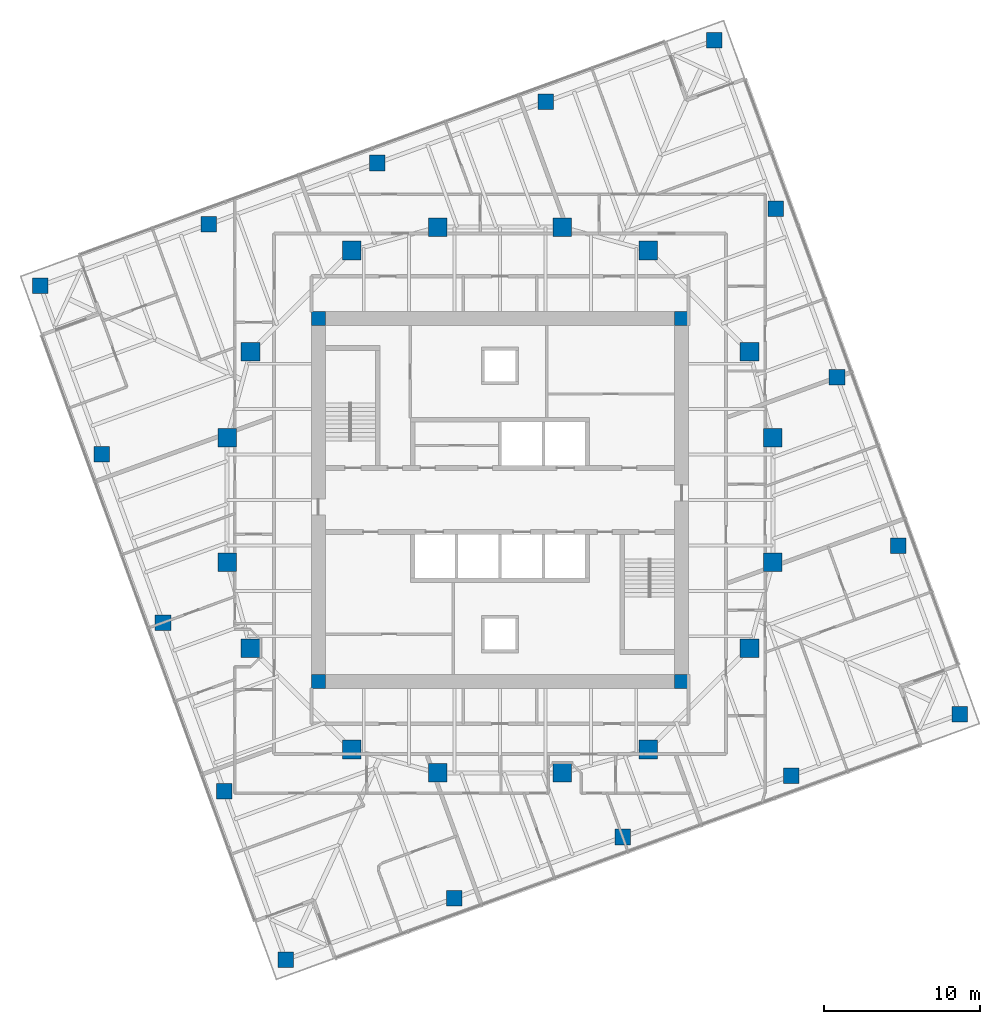
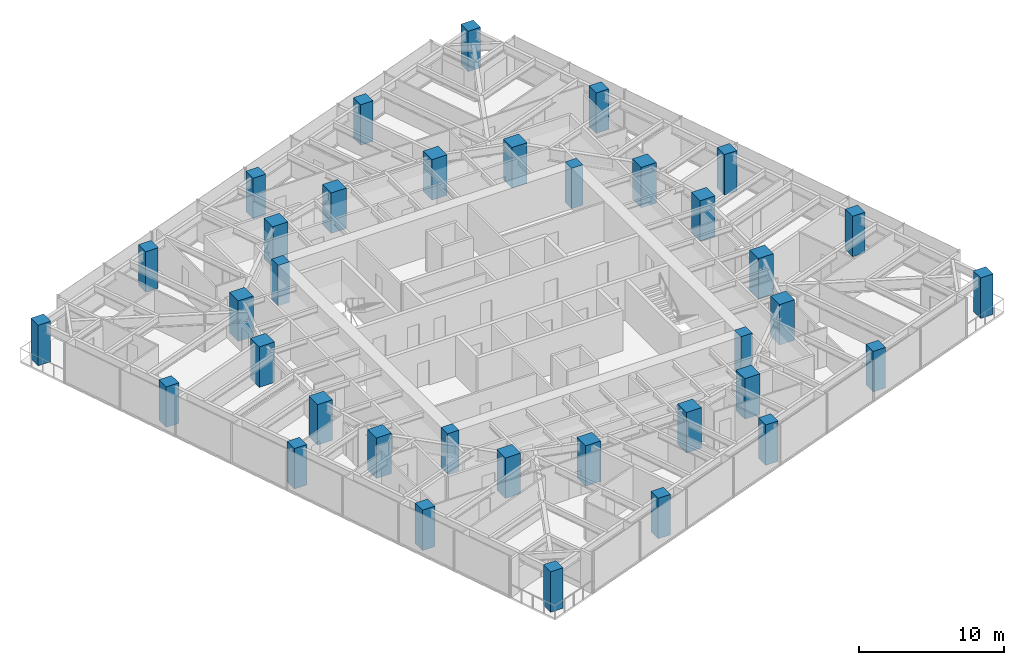
# One storey, part 1 of 13: 36 columns.
"""IFC4 building model written with IfcOpenShell, lengths in metres."""

from ifc_helpers import new_model, si_unit, direction, frame, origin, origin_2d, place, context, subcontext, project, spatial, rectangle, extrude, material, material_profile, profile_set, type_object, element, save


model = new_model("IFC4")

# Units and contexts
model_context = context("Model", 3, precision=1e-05, world=origin(), true_north=direction((0.0, 1.0)))
body_context = subcontext(model_context, "Body", "Model", "MODEL_VIEW")
ifc_project = project(units=[si_unit("LENGTHUNIT", "METRE"), si_unit("AREAUNIT", "SQUARE_METRE"), si_unit("VOLUMEUNIT", "CUBIC_METRE"), si_unit("PLANEANGLEUNIT", "RADIAN"), si_unit("MASSUNIT", "GRAM", prefix="KILO")], contexts=[model_context])

# Site, building, storey
site_placement = place(None, origin())
site = spatial("IfcSite", under=ifc_project, at=site_placement, CompositionType="ELEMENT")
building_placement = place(site_placement, origin())
building = spatial("IfcBuilding", under=site, at=building_placement, Name="Torsade Residences", CompositionType="ELEMENT")
storey_placement = place(building_placement, frame((0.0, 0.0, 157.39990234375)))
storey = spatial("IfcBuildingStorey", under=building, at=storey_placement, Name="L43", CompositionType="ELEMENT", Elevation=157.39990234375)

# Columns
ifc_material_1 = material(Name="Concrete 80 MPa", Category="concrete")
ifc_material_profile_1 = material_profile(ifc_material_1, rectangle(XDim=0.89990234375, YDim=0.89990234375, at=origin_2d()), Name="RC 900x900")
ifc_profile_set_1 = profile_set([ifc_material_profile_1], Name="Concrete 80 MPa")
column_type_1 = type_object("IfcColumnType", Name="CORE CORNER COLUMN RC 900x900", PredefinedType="COLUMN", material=ifc_profile_set_1)
for number, where, z_axis, x_axis, name in (
    (1, (28.35009765625, 18.35009765625, 0.0), (0.0, 0.0, 1.0), (1.0, 0.0, 0.0), "Core corner column CC1 L43"),
    (2, (51.64990234375, 18.35009765625, 0.0), (0.0, 0.0, 1.0), (1.0, 0.0, 0.0), "Core corner column CC2 L43"),
    (3, (51.64990234375, 41.64990234375, 0.0), (0.0, 0.0, 1.0), (1.0, 0.0, 0.0), "Core corner column CC3 L43"),
    (4, (28.35009765625, 41.64990234375, 0.0), (0.0, 0.0, 1.0), (1.0, 0.0, 0.0), "Core corner column CC4 L43"),
):
    element("IfcColumn", number, at=place(storey_placement, frame(where, z_axis=z_axis, x_axis=x_axis)), inside=storey, type_object=column_type_1, Name=name, PredefinedType="COLUMN", context=body_context, shape_type="SweptSolid", body=[
        extrude(rectangle(XDim=0.89990234375, YDim=0.89990234375, at=origin_2d()), origin(), (0.0, 0.0, 1.0), 3.400146484375),
    ])
ifc_material_2 = material(Name="Concrete 80 MPa", Category="concrete")
ifc_material_profile_2 = material_profile(ifc_material_2, rectangle(XDim=1.199951171875, YDim=1.199951171875, at=origin_2d()), Name="RC 1200x1200")
ifc_profile_set_2 = profile_set([ifc_material_profile_2], Name="Concrete 80 MPa")
column_type_2 = type_object("IfcColumnType", Name="INNER RING COLUMN RC 1200x1200", PredefinedType="COLUMN", material=ifc_profile_set_2)
for number, where, z_axis, x_axis, name in (
    (5, (57.5, 26.0, 0.0), (0.0, 0.0, 1.0), (1.0, 0.0, 0.0), "Inner ring column IR01 L43"),
    (6, (57.5, 34.0, 0.0), (0.0, 0.0, 1.0), (1.0, 0.0, 0.0), "Inner ring column IR02 L43"),
    (7, (56.0, 39.5, 0.0), (0.0, 0.0, 1.0), (1.0, 0.0, 0.0), "Inner ring column IR03 L43"),
    (8, (49.5, 46.0, 0.0), (0.0, 0.0, 1.0), (1.0, 0.0, 0.0), "Inner ring column IR04 L43"),
    (9, (44.0, 47.5, 0.0), (0.0, 0.0, 1.0), (1.0, 0.0, 0.0), "Inner ring column IR05 L43"),
    (10, (36.0, 47.5, 0.0), (0.0, 0.0, 1.0), (1.0, 0.0, 0.0), "Inner ring column IR06 L43"),
    (11, (30.5, 46.0, 0.0), (0.0, 0.0, 1.0), (1.0, 0.0, 0.0), "Inner ring column IR07 L43"),
    (12, (24.0, 39.5, 0.0), (0.0, 0.0, 1.0), (1.0, 0.0, 0.0), "Inner ring column IR08 L43"),
    (13, (22.5, 34.0, 0.0), (0.0, 0.0, 1.0), (1.0, 0.0, 0.0), "Inner ring column IR09 L43"),
    (14, (22.5, 26.0, 0.0), (0.0, 0.0, 1.0), (1.0, 0.0, 0.0), "Inner ring column IR10 L43"),
    (15, (24.0, 20.5, 0.0), (0.0, 0.0, 1.0), (1.0, 0.0, 0.0), "Inner ring column IR11 L43"),
    (16, (30.5, 14.0, 0.0), (0.0, 0.0, 1.0), (1.0, 0.0, 0.0), "Inner ring column IR12 L43"),
    (17, (36.0, 12.5, 0.0), (0.0, 0.0, 1.0), (1.0, 0.0, 0.0), "Inner ring column IR13 L43"),
    (18, (44.0, 12.5, 0.0), (0.0, 0.0, 1.0), (1.0, 0.0, 0.0), "Inner ring column IR14 L43"),
    (19, (49.5, 14.0, 0.0), (0.0, 0.0, 1.0), (1.0, 0.0, 0.0), "Inner ring column IR15 L43"),
    (20, (56.0, 20.5, 0.0), (0.0, 0.0, 1.0), (1.0, 0.0, 0.0), "Inner ring column IR16 L43"),
):
    element("IfcColumn", number, at=place(storey_placement, frame(where, z_axis=z_axis, x_axis=x_axis)), inside=storey, type_object=column_type_2, Name=name, PredefinedType="COLUMN", context=body_context, shape_type="SweptSolid", body=[
        extrude(rectangle(XDim=1.199951171875, YDim=1.199951171875, at=origin_2d()), origin(), (0.0, 0.0, 1.0), 3.400146484375),
    ])
ifc_material_3 = material(Name="Concrete 80 MPa", Category="concrete")
ifc_material_profile_3 = material_profile(ifc_material_3, rectangle(XDim=1.0, YDim=1.0, at=origin_2d()), Name="RC 1000x1000")
ifc_profile_set_3 = profile_set([ifc_material_profile_3], Name="Concrete 80 MPa")
column_type_3 = type_object("IfcColumnType", Name="TOWER COLUMN RC 1000x1000", PredefinedType="COLUMN", material=ifc_profile_set_3)
for number, where, z_axis, x_axis, name in (
    (21, (26.25341796875, 0.5205078125, 0.0), (0.0, 0.0, 1.0), (1.0, 0.0, 0.0), "Column TC5-01 L43"),
    (22, (37.06005859375, 4.453857421875, 0.0), (0.0, 0.0, 1.0), (1.0, 0.0, 0.0), "Column TC5-02 L43"),
    (23, (47.866455078125, 8.386962890625, 0.0), (0.0, 0.0, 1.0), (1.0, 0.0, 0.0), "Column TC5-03 L43"),
    (24, (58.6728515625, 12.3203125, 0.0), (0.0, 0.0, 1.0), (1.0, 0.0, 0.0), "Column TC5-04 L43"),
    (25, (69.4794921875, 16.25341796875, 0.0), (0.0, 0.0, 1.0), (1.0, 0.0, 0.0), "Column TC5-05 L43"),
    (26, (65.546142578125, 27.06005859375, 0.0), (0.0, 0.0, 1.0), (1.0, 0.0, 0.0), "Column TC5-06 L43"),
    (27, (61.613037109375, 37.866455078125, 0.0), (0.0, 0.0, 1.0), (1.0, 0.0, 0.0), "Column TC5-07 L43"),
    (28, (57.6796875, 48.6728515625, 0.0), (0.0, 0.0, 1.0), (1.0, 0.0, 0.0), "Column TC5-08 L43"),
    (29, (53.74658203125, 59.4794921875, 0.0), (0.0, 0.0, 1.0), (1.0, 0.0, 0.0), "Column TC5-09 L43"),
    (30, (42.93994140625, 55.546142578125, 0.0), (0.0, 0.0, 1.0), (1.0, 0.0, 0.0), "Column TC5-10 L43"),
    (31, (32.133544921875, 51.613037109375, 0.0), (0.0, 0.0, 1.0), (1.0, 0.0, 0.0), "Column TC5-11 L43"),
    (32, (21.3271484375, 47.6796875, 0.0), (0.0, 0.0, 1.0), (1.0, 0.0, 0.0), "Column TC5-12 L43"),
    (33, (10.5205078125, 43.74658203125, 0.0), (0.0, 0.0, 1.0), (1.0, 0.0, 0.0), "Column TC5-13 L43"),
    (34, (14.453857421875, 32.93994140625, 0.0), (0.0, 0.0, 1.0), (1.0, 0.0, 0.0), "Column TC5-14 L43"),
    (35, (18.386962890625, 22.133544921875, 0.0), (0.0, 0.0, 1.0), (1.0, 0.0, 0.0), "Column TC5-15 L43"),
    (36, (22.3203125, 11.3271484375, 0.0), (0.0, 0.0, 1.0), (1.0, 0.0, 0.0), "Column TC5-16 L43"),
):
    element("IfcColumn", number, at=place(storey_placement, frame(where, z_axis=z_axis, x_axis=x_axis)), inside=storey, type_object=column_type_3, Name=name, PredefinedType="COLUMN", context=body_context, shape_type="SweptSolid", body=[
        extrude(rectangle(XDim=1.0, YDim=1.0, at=origin_2d()), origin(), (0.0, 0.0, 1.0), 3.400146484375),
    ])

save(model, "model.ifc")
